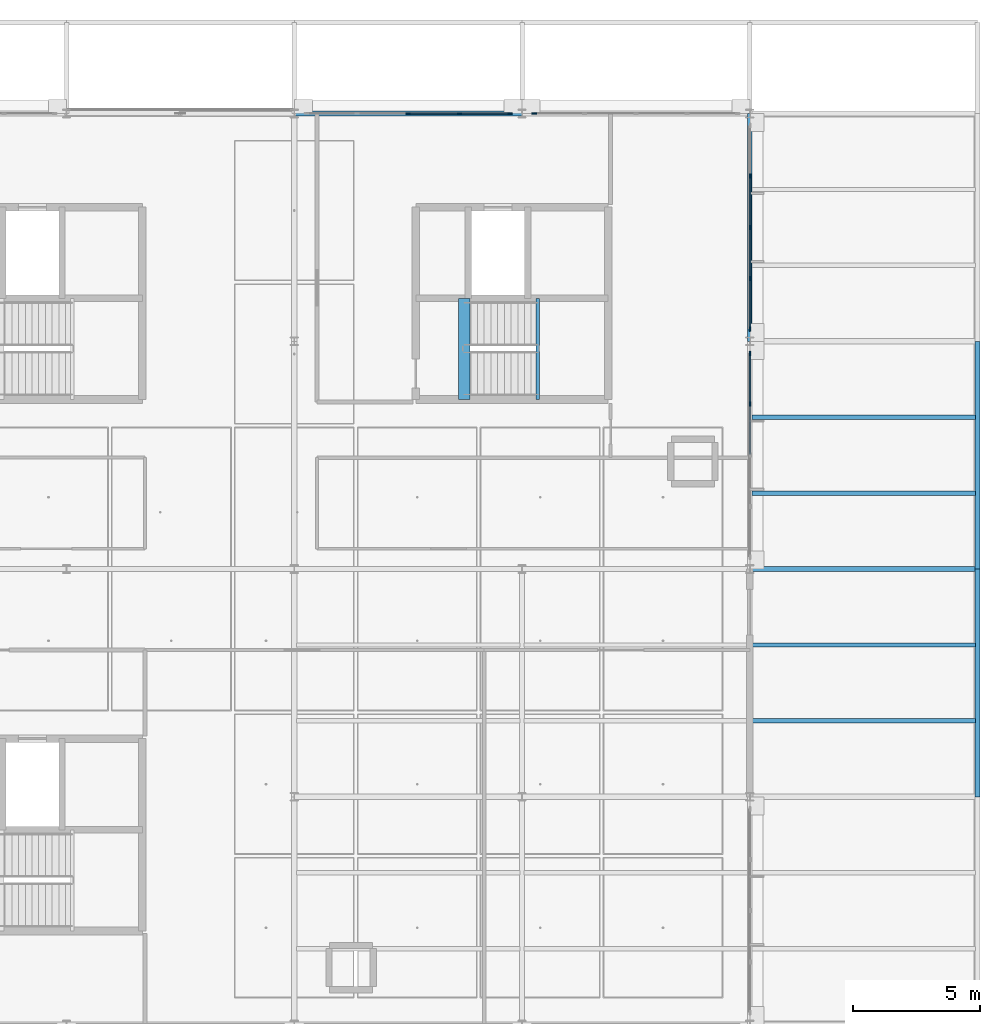
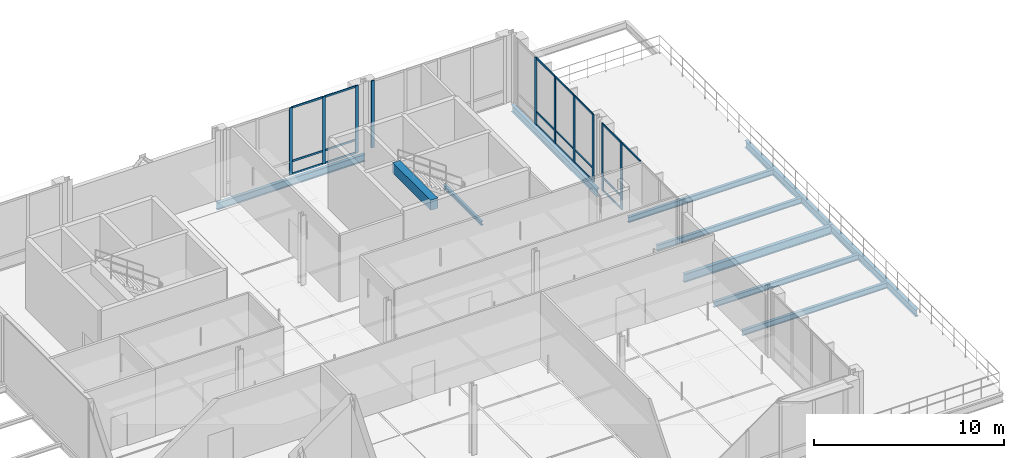
# One storey, part 32 of 66: 29 members, 11 beams, 4 elements without a shape of their own.
"""IFC4 building model written with IfcOpenShell, lengths in metres."""

from ifc_helpers import new_model, si_unit, direction, frame, origin, origin_2d, place, context, subcontext, project, spatial, rectangle, i_section, extrude, material, material_profile, profile_set, type_object, element, aggregate, save


model = new_model("IFC4")

# Units and contexts
model_context = context("Model", 3, precision=1e-05, world=origin(), true_north=direction((0.0, 1.0)))
body_context = subcontext(model_context, "Body", "Model", "MODEL_VIEW")
ifc_project = project(units=[si_unit("LENGTHUNIT", "METRE"), si_unit("AREAUNIT", "SQUARE_METRE"), si_unit("VOLUMEUNIT", "CUBIC_METRE"), si_unit("PLANEANGLEUNIT", "RADIAN"), si_unit("MASSUNIT", "GRAM", prefix="KILO"), si_unit("THERMODYNAMICTEMPERATUREUNIT", "KELVIN"), si_unit("POWERUNIT", "WATT")], contexts=[model_context])

# Site, building, storey
site_placement = place(None, origin())
site = spatial("IfcSite", under=ifc_project, at=site_placement, CompositionType="ELEMENT")
building_placement = place(site_placement, origin())
building = spatial("IfcBuilding", under=site, at=building_placement, Name="Tallowbark Science Centre", CompositionType="ELEMENT")
storey_placement = place(building_placement, frame((0.0, 0.0, 18.89990234375)))
storey = spatial("IfcBuildingStorey", under=building, at=storey_placement, Name="L04", CompositionType="ELEMENT", Elevation=18.89990234375)

# Beams
ifc_material_1 = material(Name="Concrete Grade N40 (40 MPa)", Category="concrete")
ifc_material_profile_1 = material_profile(ifc_material_1, rectangle(XDim=0.449951171875, YDim=0.64990234375, at=origin_2d()), Name="RC450x650")
ifc_profile_set_1 = profile_set([ifc_material_profile_1], Name="Concrete Grade N40 (40 MPa)")
beam_type_1 = type_object("IfcBeamType", Name="BM-GB2-N40", PredefinedType="BEAM", material=ifc_profile_set_1)
beam_1_placement = place(storey_placement, frame((137.2099609375, 96.699951171875, 4.175048828125), z_axis=(0.0, 1.0, 0.0), x_axis=(-1.0, 0.0, 0.0)))
element("IfcBeam", 1, at=beam_1_placement, inside=storey, type_object=beam_type_1, Name="Stair ST-04 Landing Nosing Beam L04", PredefinedType="BEAM", context=body_context, shape_type="SweptSolid", body=[
    extrude(rectangle(XDim=0.449951171875, YDim=0.64990234375, at=origin_2d()), origin(), (0.0, 0.0, 1.0), 3.9951171875),
])
ifc_material_2 = material(Name="Structural Steel Grade 300PLUS (300 MPa)", Category="steel")
ifc_material_profile_2 = material_profile(ifc_material_2, i_section(OverallWidth=0.208984375, OverallDepth=0.532958984375, WebThickness=0.01025390625, FlangeThickness=0.015625, FilletRadius=0.013916015625, at=origin_2d()), Name="530UB92.4")
ifc_profile_set_2 = profile_set([ifc_material_profile_2], Name="Structural Steel Grade 300PLUS (300 MPa)")
beam_type_2 = type_object("IfcBeamType", Name="BM-UB530A", PredefinedType="BEAM", material=ifc_profile_set_2)
beam_2_placement = place(storey_placement, frame((148.5, 90.0, -0.4462890625), z_axis=(1.0, 0.0, 0.0), x_axis=(0.0, 1.0, 0.0)))
element("IfcBeam", 2, at=beam_2_placement, inside=storey, type_object=beam_type_2, Name="Primary Girder GRDX-L04-1485-1575-900", PredefinedType="BEAM", context=body_context, shape_type="SweptSolid", body=[
    extrude(i_section(OverallWidth=0.208984375, OverallDepth=0.532958984375, WebThickness=0.01025390625, FlangeThickness=0.015625, FilletRadius=0.013916015625, at=origin_2d()), origin(), (0.0, 0.0, 1.0), 9.0),
])

# Curtain wall, members
ifc_material_3 = material(Name="Unitised Thermally Broken Aluminium and Low-E Double Glazing", Category="aluminium")
curtain_wall_type = type_object("IfcCurtainWallType", Name="CW-SYS-FACADE", PredefinedType="NOTDEFINED", material=ifc_material_3)
curtain_wall_1_placement = place(storey_placement, origin())
curtain_wall_1 = element("IfcCurtainWall", 3, at=curtain_wall_1_placement, inside=storey, type_object=curtain_wall_type, Name="Unitised Curtain Wall OBS4-N-130 CW-L04-194", PredefinedType="NOTDEFINED")
ifc_material_4 = material(Name="Anodised Architectural Aluminium Alloy 6063-T6", Category="aluminium")
ifc_material_profile_3 = material_profile(ifc_material_4, rectangle(XDim=0.06494140625, YDim=0.179931640625, at=origin_2d()), Name="ALU65x180")
ifc_profile_set_3 = profile_set([ifc_material_profile_3], Name="Anodised Architectural Aluminium Alloy 6063-T6")
member_type_1 = type_object("IfcMemberType", Name="CWM-MUL-220", PredefinedType="MULLION", material=ifc_profile_set_3)
member_1_placement = place(storey_placement, frame((139.017578125, 108.0, 0.0), z_axis=(0.0, 0.0, 1.0), x_axis=(0.0, -1.0, 0.0)))
member_1 = element("IfcMember", 4, at=member_1_placement, type_object=member_type_1, Name="CW-01 mullion 1", PredefinedType="MULLION", context=body_context, shape_type="SweptSolid", body=[
    extrude(rectangle(XDim=0.06494140625, YDim=0.179931640625, at=origin_2d()), origin(), (0.0, 0.0, 1.0), 4.320068359375),
])
member_2_placement = place(storey_placement, frame((137.02490234375, 108.0, 0.0), z_axis=(0.0, 0.0, 1.0), x_axis=(0.0, -1.0, 0.0)))
member_2 = element("IfcMember", 5, at=member_2_placement, type_object=member_type_1, Name="CW-01 mullion 2", PredefinedType="MULLION", context=body_context, shape_type="SweptSolid", body=[
    extrude(rectangle(XDim=0.06494140625, YDim=0.179931640625, at=origin_2d()), origin(), (0.0, 0.0, 1.0), 4.320068359375),
])
member_3_placement = place(storey_placement, frame((135.0, 108.0, 0.0), z_axis=(0.0, 0.0, 1.0), x_axis=(0.0, -1.0, 0.0)))
member_3 = element("IfcMember", 6, at=member_3_placement, type_object=member_type_1, Name="CW-01 mullion 3", PredefinedType="MULLION", context=body_context, shape_type="SweptSolid", body=[
    extrude(rectangle(XDim=0.06494140625, YDim=0.179931640625, at=origin_2d()), origin(), (0.0, 0.0, 1.0), 4.320068359375),
])

# Curtain wall, member
curtain_wall_2_placement = place(storey_placement, origin())
curtain_wall_2 = element("IfcCurtainWall", 7, at=curtain_wall_2_placement, inside=storey, type_object=curtain_wall_type, Name="Unitised Curtain Wall OBS4-N-139 CW-L04-196", PredefinedType="NOTDEFINED")
member_4_placement = place(storey_placement, frame((139.982421875, 108.0, 0.0), z_axis=(0.0, 0.0, 1.0), x_axis=(0.0, -1.0, 0.0)))
member_4 = element("IfcMember", 8, at=member_4_placement, type_object=member_type_1, Name="CW-01 mullion 5", PredefinedType="MULLION", context=body_context, shape_type="SweptSolid", body=[
    extrude(rectangle(XDim=0.06494140625, YDim=0.179931640625, at=origin_2d()), origin(), (0.0, 0.0, 1.0), 4.320068359375),
])
aggregate(curtain_wall_2, [member_4])

# Curtain wall, members
curtain_wall_3_placement = place(storey_placement, origin())
curtain_wall_3 = element("IfcCurtainWall", 9, at=curtain_wall_3_placement, inside=storey, type_object=curtain_wall_type, Name="Unitised Curtain Wall OBS4-E-90 CW-L04-198", PredefinedType="NOTDEFINED")
member_5_placement = place(storey_placement, frame((148.5, 96.52490234375, 0.0), z_axis=(0.0, 0.0, 1.0), x_axis=(-1.0, 0.0, 0.0)))
member_5 = element("IfcMember", 10, at=member_5_placement, type_object=member_type_1, Name="CW-01 mullion 4", PredefinedType="MULLION", context=body_context, shape_type="SweptSolid", body=[
    extrude(rectangle(XDim=0.06494140625, YDim=0.179931640625, at=origin_2d()), origin(), (0.0, 0.0, 1.0), 4.320068359375),
])
member_6_placement = place(storey_placement, frame((148.5, 98.517578125, 0.0), z_axis=(0.0, 0.0, 1.0), x_axis=(-1.0, 0.0, 0.0)))
member_6 = element("IfcMember", 11, at=member_6_placement, type_object=member_type_1, Name="CW-01 mullion 5", PredefinedType="MULLION", context=body_context, shape_type="SweptSolid", body=[
    extrude(rectangle(XDim=0.06494140625, YDim=0.179931640625, at=origin_2d()), origin(), (0.0, 0.0, 1.0), 4.320068359375),
])

curtain_wall_4_placement = place(storey_placement, origin())
curtain_wall_4 = element("IfcCurtainWall", 12, at=curtain_wall_4_placement, inside=storey, type_object=curtain_wall_type, Name="Unitised Curtain Wall OBS4-E-99 CW-L04-199", PredefinedType="NOTDEFINED")
member_7_placement = place(storey_placement, frame((148.5, 99.482421875, 0.0), z_axis=(0.0, 0.0, 1.0), x_axis=(-1.0, 0.0, 0.0)))
member_7 = element("IfcMember", 13, at=member_7_placement, type_object=member_type_1, Name="CW-01 mullion 1", PredefinedType="MULLION", context=body_context, shape_type="SweptSolid", body=[
    extrude(rectangle(XDim=0.06494140625, YDim=0.179931640625, at=origin_2d()), origin(), (0.0, 0.0, 1.0), 4.320068359375),
])
member_8_placement = place(storey_placement, frame((148.5, 101.47509765625, 0.0), z_axis=(0.0, 0.0, 1.0), x_axis=(-1.0, 0.0, 0.0)))
member_8 = element("IfcMember", 14, at=member_8_placement, type_object=member_type_1, Name="CW-01 mullion 2", PredefinedType="MULLION", context=body_context, shape_type="SweptSolid", body=[
    extrude(rectangle(XDim=0.06494140625, YDim=0.179931640625, at=origin_2d()), origin(), (0.0, 0.0, 1.0), 4.320068359375),
])
member_9_placement = place(storey_placement, frame((148.5, 103.5, 0.0), z_axis=(0.0, 0.0, 1.0), x_axis=(-1.0, 0.0, 0.0)))
member_9 = element("IfcMember", 15, at=member_9_placement, type_object=member_type_1, Name="CW-01 mullion 3", PredefinedType="MULLION", context=body_context, shape_type="SweptSolid", body=[
    extrude(rectangle(XDim=0.06494140625, YDim=0.179931640625, at=origin_2d()), origin(), (0.0, 0.0, 1.0), 4.320068359375),
])
member_10_placement = place(storey_placement, frame((148.5, 105.52490234375, 0.0), z_axis=(0.0, 0.0, 1.0), x_axis=(-1.0, 0.0, 0.0)))
member_10 = element("IfcMember", 16, at=member_10_placement, type_object=member_type_1, Name="CW-01 mullion 4", PredefinedType="MULLION", context=body_context, shape_type="SweptSolid", body=[
    extrude(rectangle(XDim=0.06494140625, YDim=0.179931640625, at=origin_2d()), origin(), (0.0, 0.0, 1.0), 4.320068359375),
])

# Member
ifc_material_profile_4 = material_profile(ifc_material_4, rectangle(XDim=0.054931640625, YDim=0.1201171875, at=origin_2d()), Name="ALU55x120")
ifc_profile_set_4 = profile_set([ifc_material_profile_4], Name="Anodised Architectural Aluminium Alloy 6063-T6")
member_type_2 = type_object("IfcMemberType", Name="CWM-TRN-150", PredefinedType="USERDEFINED", material=ifc_profile_set_4)
member_11_placement = place(storey_placement, frame((138.985107421875, 108.0, 0.027587890625), z_axis=(-1.0, 0.0, 0.0), x_axis=(0.0, -1.0, 0.0)))
member_11 = element("IfcMember", 17, at=member_11_placement, type_object=member_type_2, Name="CW-01 transom 1.1", ObjectType="TRANSOM", PredefinedType="USERDEFINED", context=body_context, shape_type="SweptSolid", body=[
    extrude(rectangle(XDim=0.054931640625, YDim=0.1201171875, at=origin_2d()), origin(), (0.0, 0.0, 1.0), 1.927490234375),
])

member_12_placement = place(storey_placement, frame((138.985107421875, 108.0, 0.85009765625), z_axis=(-1.0, 0.0, 0.0), x_axis=(0.0, -1.0, 0.0)))
member_12 = element("IfcMember", 18, at=member_12_placement, type_object=member_type_2, Name="CW-01 transom 1.2", ObjectType="TRANSOM", PredefinedType="USERDEFINED", context=body_context, shape_type="SweptSolid", body=[
    extrude(rectangle(XDim=0.054931640625, YDim=0.1201171875, at=origin_2d()), origin(), (0.0, 0.0, 1.0), 1.927490234375),
])

member_13_placement = place(storey_placement, frame((138.985107421875, 108.0, 4.29248046875), z_axis=(-1.0, 0.0, 0.0), x_axis=(0.0, -1.0, 0.0)))
member_13 = element("IfcMember", 19, at=member_13_placement, type_object=member_type_2, Name="CW-01 transom 1.3", ObjectType="TRANSOM", PredefinedType="USERDEFINED", context=body_context, shape_type="SweptSolid", body=[
    extrude(rectangle(XDim=0.054931640625, YDim=0.1201171875, at=origin_2d()), origin(), (0.0, 0.0, 1.0), 1.927490234375),
])

member_14_placement = place(storey_placement, frame((136.992431640625, 108.0, 0.027587890625), z_axis=(-1.0, 0.0, 0.0), x_axis=(0.0, -1.0, 0.0)))
member_14 = element("IfcMember", 20, at=member_14_placement, type_object=member_type_2, Name="CW-01 transom 2.1", ObjectType="TRANSOM", PredefinedType="USERDEFINED", context=body_context, shape_type="SweptSolid", body=[
    extrude(rectangle(XDim=0.054931640625, YDim=0.1201171875, at=origin_2d()), origin(), (0.0, 0.0, 1.0), 1.9599609375),
])

member_15_placement = place(storey_placement, frame((136.992431640625, 108.0, 0.85009765625), z_axis=(-1.0, 0.0, 0.0), x_axis=(0.0, -1.0, 0.0)))
member_15 = element("IfcMember", 21, at=member_15_placement, type_object=member_type_2, Name="CW-01 transom 2.2", ObjectType="TRANSOM", PredefinedType="USERDEFINED", context=body_context, shape_type="SweptSolid", body=[
    extrude(rectangle(XDim=0.054931640625, YDim=0.1201171875, at=origin_2d()), origin(), (0.0, 0.0, 1.0), 1.9599609375),
])

member_16_placement = place(storey_placement, frame((136.992431640625, 108.0, 4.29248046875), z_axis=(-1.0, 0.0, 0.0), x_axis=(0.0, -1.0, 0.0)))
member_16 = element("IfcMember", 22, at=member_16_placement, type_object=member_type_2, Name="CW-01 transom 2.3", ObjectType="TRANSOM", PredefinedType="USERDEFINED", context=body_context, shape_type="SweptSolid", body=[
    extrude(rectangle(XDim=0.054931640625, YDim=0.1201171875, at=origin_2d()), origin(), (0.0, 0.0, 1.0), 1.9599609375),
])

aggregate(curtain_wall_1, [member_1, member_2, member_3, member_11, member_12, member_13, member_14, member_15, member_16])

member_17_placement = place(storey_placement, frame((148.5, 94.532470703125, 4.29248046875), z_axis=(0.0, 1.0, 0.0), x_axis=(-1.0, 0.0, 0.0)))
member_17 = element("IfcMember", 23, at=member_17_placement, type_object=member_type_2, Name="CW-01 transom 3.3", ObjectType="TRANSOM", PredefinedType="USERDEFINED", context=body_context, shape_type="SweptSolid", body=[
    extrude(rectangle(XDim=0.054931640625, YDim=0.1201171875, at=origin_2d()), origin(), (0.0, 0.0, 1.0), 1.9599609375),
])

member_18_placement = place(storey_placement, frame((148.5, 96.5576171875, 0.027587890625), z_axis=(0.0, 1.0, 0.0), x_axis=(-1.0, 0.0, 0.0)))
member_18 = element("IfcMember", 24, at=member_18_placement, type_object=member_type_2, Name="CW-01 transom 4.1", ObjectType="TRANSOM", PredefinedType="USERDEFINED", context=body_context, shape_type="SweptSolid", body=[
    extrude(rectangle(XDim=0.054931640625, YDim=0.1201171875, at=origin_2d()), origin(), (0.0, 0.0, 1.0), 1.927490234375),
])

member_19_placement = place(storey_placement, frame((148.5, 96.5576171875, 0.85009765625), z_axis=(0.0, 1.0, 0.0), x_axis=(-1.0, 0.0, 0.0)))
member_19 = element("IfcMember", 25, at=member_19_placement, type_object=member_type_2, Name="CW-01 transom 4.2", ObjectType="TRANSOM", PredefinedType="USERDEFINED", context=body_context, shape_type="SweptSolid", body=[
    extrude(rectangle(XDim=0.054931640625, YDim=0.1201171875, at=origin_2d()), origin(), (0.0, 0.0, 1.0), 1.927490234375),
])

member_20_placement = place(storey_placement, frame((148.5, 96.5576171875, 4.29248046875), z_axis=(0.0, 1.0, 0.0), x_axis=(-1.0, 0.0, 0.0)))
member_20 = element("IfcMember", 26, at=member_20_placement, type_object=member_type_2, Name="CW-01 transom 4.3", ObjectType="TRANSOM", PredefinedType="USERDEFINED", context=body_context, shape_type="SweptSolid", body=[
    extrude(rectangle(XDim=0.054931640625, YDim=0.1201171875, at=origin_2d()), origin(), (0.0, 0.0, 1.0), 1.927490234375),
])

aggregate(curtain_wall_3, [member_5, member_6, member_17, member_18, member_19, member_20])

member_21_placement = place(storey_placement, frame((148.5, 99.514892578125, 0.027587890625), z_axis=(0.0, 1.0, 0.0), x_axis=(-1.0, 0.0, 0.0)))
member_21 = element("IfcMember", 27, at=member_21_placement, type_object=member_type_2, Name="CW-01 transom 1.1", ObjectType="TRANSOM", PredefinedType="USERDEFINED", context=body_context, shape_type="SweptSolid", body=[
    extrude(rectangle(XDim=0.054931640625, YDim=0.1201171875, at=origin_2d()), origin(), (0.0, 0.0, 1.0), 1.927490234375),
])

member_22_placement = place(storey_placement, frame((148.5, 99.514892578125, 0.85009765625), z_axis=(0.0, 1.0, 0.0), x_axis=(-1.0, 0.0, 0.0)))
member_22 = element("IfcMember", 28, at=member_22_placement, type_object=member_type_2, Name="CW-01 transom 1.2", ObjectType="TRANSOM", PredefinedType="USERDEFINED", context=body_context, shape_type="SweptSolid", body=[
    extrude(rectangle(XDim=0.054931640625, YDim=0.1201171875, at=origin_2d()), origin(), (0.0, 0.0, 1.0), 1.927490234375),
])

member_23_placement = place(storey_placement, frame((148.5, 99.514892578125, 4.29248046875), z_axis=(0.0, 1.0, 0.0), x_axis=(-1.0, 0.0, 0.0)))
member_23 = element("IfcMember", 29, at=member_23_placement, type_object=member_type_2, Name="CW-01 transom 1.3", ObjectType="TRANSOM", PredefinedType="USERDEFINED", context=body_context, shape_type="SweptSolid", body=[
    extrude(rectangle(XDim=0.054931640625, YDim=0.1201171875, at=origin_2d()), origin(), (0.0, 0.0, 1.0), 1.927490234375),
])

member_24_placement = place(storey_placement, frame((148.5, 101.507568359375, 0.027587890625), z_axis=(0.0, 1.0, 0.0), x_axis=(-1.0, 0.0, 0.0)))
member_24 = element("IfcMember", 30, at=member_24_placement, type_object=member_type_2, Name="CW-01 transom 2.1", ObjectType="TRANSOM", PredefinedType="USERDEFINED", context=body_context, shape_type="SweptSolid", body=[
    extrude(rectangle(XDim=0.054931640625, YDim=0.1201171875, at=origin_2d()), origin(), (0.0, 0.0, 1.0), 1.9599609375),
])

member_25_placement = place(storey_placement, frame((148.5, 101.507568359375, 0.85009765625), z_axis=(0.0, 1.0, 0.0), x_axis=(-1.0, 0.0, 0.0)))
member_25 = element("IfcMember", 31, at=member_25_placement, type_object=member_type_2, Name="CW-01 transom 2.2", ObjectType="TRANSOM", PredefinedType="USERDEFINED", context=body_context, shape_type="SweptSolid", body=[
    extrude(rectangle(XDim=0.054931640625, YDim=0.1201171875, at=origin_2d()), origin(), (0.0, 0.0, 1.0), 1.9599609375),
])

member_26_placement = place(storey_placement, frame((148.5, 101.507568359375, 4.29248046875), z_axis=(0.0, 1.0, 0.0), x_axis=(-1.0, 0.0, 0.0)))
member_26 = element("IfcMember", 32, at=member_26_placement, type_object=member_type_2, Name="CW-01 transom 2.3", ObjectType="TRANSOM", PredefinedType="USERDEFINED", context=body_context, shape_type="SweptSolid", body=[
    extrude(rectangle(XDim=0.054931640625, YDim=0.1201171875, at=origin_2d()), origin(), (0.0, 0.0, 1.0), 1.9599609375),
])

member_27_placement = place(storey_placement, frame((148.5, 103.532470703125, 0.027587890625), z_axis=(0.0, 1.0, 0.0), x_axis=(-1.0, 0.0, 0.0)))
member_27 = element("IfcMember", 33, at=member_27_placement, type_object=member_type_2, Name="CW-01 transom 3.1", ObjectType="TRANSOM", PredefinedType="USERDEFINED", context=body_context, shape_type="SweptSolid", body=[
    extrude(rectangle(XDim=0.054931640625, YDim=0.1201171875, at=origin_2d()), origin(), (0.0, 0.0, 1.0), 1.9599609375),
])

member_28_placement = place(storey_placement, frame((148.5, 103.532470703125, 0.85009765625), z_axis=(0.0, 1.0, 0.0), x_axis=(-1.0, 0.0, 0.0)))
member_28 = element("IfcMember", 34, at=member_28_placement, type_object=member_type_2, Name="CW-01 transom 3.2", ObjectType="TRANSOM", PredefinedType="USERDEFINED", context=body_context, shape_type="SweptSolid", body=[
    extrude(rectangle(XDim=0.054931640625, YDim=0.1201171875, at=origin_2d()), origin(), (0.0, 0.0, 1.0), 1.9599609375),
])

member_29_placement = place(storey_placement, frame((148.5, 103.532470703125, 4.29248046875), z_axis=(0.0, 1.0, 0.0), x_axis=(-1.0, 0.0, 0.0)))
member_29 = element("IfcMember", 35, at=member_29_placement, type_object=member_type_2, Name="CW-01 transom 3.3", ObjectType="TRANSOM", PredefinedType="USERDEFINED", context=body_context, shape_type="SweptSolid", body=[
    extrude(rectangle(XDim=0.054931640625, YDim=0.1201171875, at=origin_2d()), origin(), (0.0, 0.0, 1.0), 1.9599609375),
])

aggregate(curtain_wall_4, [member_7, member_8, member_9, member_10, member_21, member_22, member_23, member_24, member_25, member_26, member_27, member_28, member_29])

# Beams
ifc_material_profile_5 = material_profile(ifc_material_2, i_section(OverallWidth=0.146484375, OverallDepth=0.256103515625, WebThickness=0.00634765625, FlangeThickness=0.010986328125, FilletRadius=0.0087890625, at=origin_2d()), Name="250UB37.3")
ifc_profile_set_5 = profile_set([ifc_material_profile_5], Name="Structural Steel Grade 300PLUS (300 MPa)")
beam_type_3 = type_object("IfcBeamType", Name="JST-UB250", PredefinedType="JOIST", material=ifc_profile_set_5)
beam_3_placement = place(storey_placement, frame((140.125, 96.699951171875, 1.922119140625), z_axis=(0.0, 1.0, 0.0), x_axis=(-1.0, 0.0, 0.0)))
element("IfcBeam", 36, at=beam_3_placement, inside=storey, type_object=beam_type_3, Name="Stair ST-04 Half-Landing Trimmer L04", PredefinedType="JOIST", context=body_context, shape_type="SweptSolid", body=[
    extrude(i_section(OverallWidth=0.146484375, OverallDepth=0.256103515625, WebThickness=0.00634765625, FlangeThickness=0.010986328125, FilletRadius=0.0087890625, at=origin_2d()), origin(), (0.0, 0.0, 1.0), 3.9951171875),
])
ifc_material_profile_6 = material_profile(ifc_material_2, i_section(OverallWidth=0.172119140625, OverallDepth=0.358642578125, WebThickness=0.008056640625, FlangeThickness=0.012939453125, FilletRadius=0.011474609375, at=origin_2d()), Name="360UB56.7")
ifc_profile_set_6 = profile_set([ifc_material_profile_6], Name="Structural Steel Grade 300PLUS (300 MPa)")
beam_type_4 = type_object("IfcBeamType", Name="JST-UB360", PredefinedType="JOIST", material=ifc_profile_set_6)
for number, where, z_axis, x_axis, name in (
    (37, (148.5849609375, 84.0, -0.359130859375), (1.0, 0.0, 0.0), (0.0, 1.0, 0.0), "Composite Floor Joist JSTX-L04-1485-840"),
    (38, (148.5849609375, 87.0, -0.359130859375), (1.0, 0.0, 0.0), (0.0, 1.0, 0.0), "Composite Floor Joist JSTX-L04-1485-870"),
    (39, (148.5849609375, 93.0, -0.359130859375), (1.0, 0.0, 0.0), (0.0, 1.0, 0.0), "Composite Floor Joist JSTX-L04-1485-930"),
    (40, (148.5849609375, 96.0, -0.359130859375), (1.0, 0.0, 0.0), (0.0, 1.0, 0.0), "Composite Floor Joist JSTX-L04-1485-960"),
):
    element("IfcBeam", number, at=place(storey_placement, frame(where, z_axis=z_axis, x_axis=x_axis)), inside=storey, type_object=beam_type_4, Name=name, PredefinedType="JOIST", context=body_context, shape_type="SweptSolid", body=[
        extrude(i_section(OverallWidth=0.172119140625, OverallDepth=0.358642578125, WebThickness=0.008056640625, FlangeThickness=0.012939453125, FilletRadius=0.011474609375, at=origin_2d()), origin(), (0.0, 0.0, 1.0), 8.830078125),
    ])
ifc_material_profile_7 = material_profile(ifc_material_2, i_section(OverallWidth=0.18994140625, OverallDepth=0.453857421875, WebThickness=0.008544921875, FlangeThickness=0.0126953125, FilletRadius=0.011474609375, at=origin_2d()), Name="460UB67.1")
ifc_profile_set_7 = profile_set([ifc_material_profile_7], Name="Structural Steel Grade 300PLUS (300 MPa)")
beam_type_5 = type_object("IfcBeamType", Name="SPN-UB460", PredefinedType="SPANDREL", material=ifc_profile_set_7)
for number, where, z_axis, x_axis, name in (
    (41, (130.5, 108.0, -0.436767578125), (1.0, 0.0, 0.0), (0.0, 1.0, 0.0), "Primary Girder GRDX-L04-1305-1395-1080"),
    (42, (148.5, 99.0, -0.40673828125), (0.0, 1.0, 0.0), (-1.0, 0.0, 0.0), "Primary Girder GRDY-L04-1485-990-1080"),
    (43, (157.5, 81.0, -0.40673828125), (0.0, 1.0, 0.0), (-1.0, 0.0, 0.0), "Primary Girder GRDY-L04-1575-810-900"),
    (44, (157.5, 90.0, -0.40673828125), (0.0, 1.0, 0.0), (-1.0, 0.0, 0.0), "Primary Girder GRDY-L04-1575-900-990"),
):
    element("IfcBeam", number, at=place(storey_placement, frame(where, z_axis=z_axis, x_axis=x_axis)), inside=storey, type_object=beam_type_5, Name=name, PredefinedType="SPANDREL", context=body_context, shape_type="SweptSolid", body=[
        extrude(i_section(OverallWidth=0.18994140625, OverallDepth=0.453857421875, WebThickness=0.008544921875, FlangeThickness=0.0126953125, FilletRadius=0.011474609375, at=origin_2d()), origin(), (0.0, 0.0, 1.0), 9.0),
    ])

save(model, "model.ifc")
